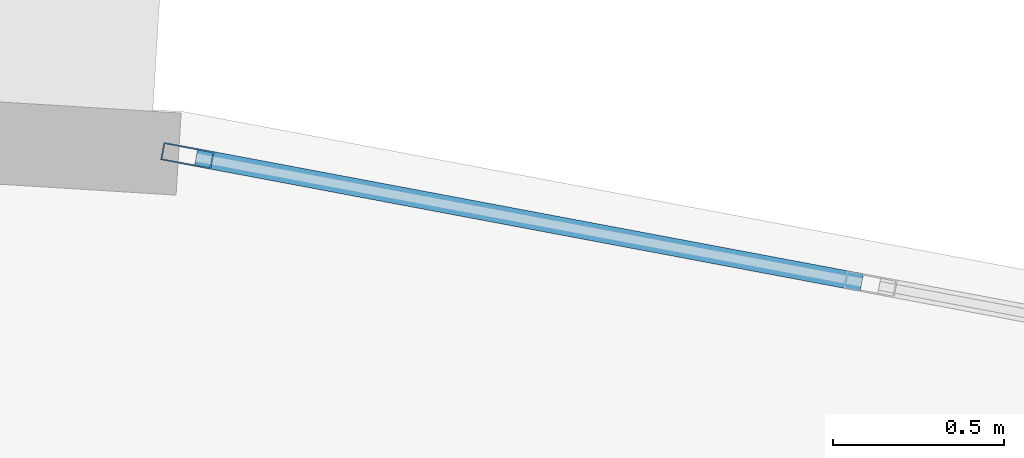
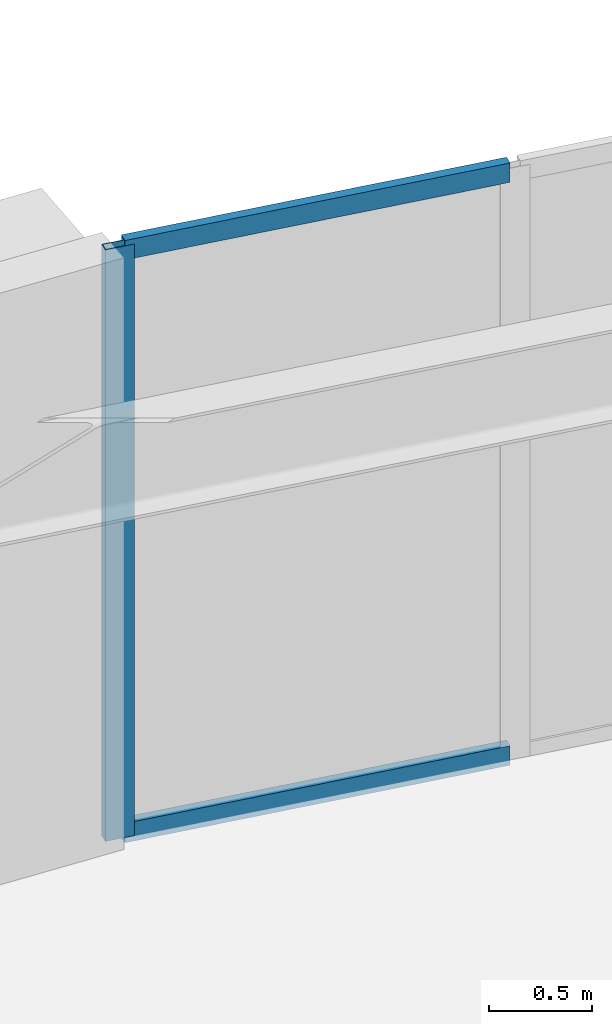
# One storey, part 4 of 21: 3 members, 1 element without a shape of its own.
"""IFC4 building model written with IfcOpenShell, lengths in metres."""

from ifc_helpers import new_model, si_unit, direction, frame, origin, origin_2d, place, context, subcontext, project, spatial, hollow_rectangle, extrude, source, transform, mapped, material, layer, layer_set, material_profile, profile_set, type_object, element, aggregate, save


model = new_model("IFC4")

# Units and contexts
model_context = context("Model", 3, precision=1e-05, world=origin(), true_north=direction((0.0, 1.0)))
body_context = subcontext(model_context, "Body", "Model", "MODEL_VIEW")
ifc_project = project(units=[si_unit("LENGTHUNIT", "METRE"), si_unit("AREAUNIT", "SQUARE_METRE"), si_unit("VOLUMEUNIT", "CUBIC_METRE"), si_unit("PLANEANGLEUNIT", "RADIAN"), si_unit("MASSUNIT", "GRAM", prefix="KILO")], contexts=[model_context])

# Site, building, storey
site_placement = place(None, origin())
site = spatial("IfcSite", under=ifc_project, at=site_placement, CompositionType="ELEMENT")
building_placement = place(site_placement, origin())
building = spatial("IfcBuilding", under=site, at=building_placement, Name="Linh Dai School and Residence Tower", CompositionType="ELEMENT")
storey_placement = place(building_placement, frame((0.0, 0.0, 171.14990234375)))
storey = spatial("IfcBuildingStorey", under=building, at=storey_placement, Name="L41", CompositionType="ELEMENT", Elevation=171.14990234375)

# Curtain wall, members
ifc_material_1 = material(Name="Aluminium Anodised Curtain Wall", Category="aluminium")
ifc_layer = layer(ifc_material_1, 0.14990234375)
ifc_layer_set = layer_set([ifc_layer], Name="Aluminium Anodised Curtain Wall")
curtain_wall_type = type_object("IfcCurtainWallType", Name="CW-SYS-4", PredefinedType="USERDEFINED", material=ifc_layer_set)
curtain_wall_placement = place(storey_placement, origin())
curtain_wall = element("IfcCurtainWall", 1, at=curtain_wall_placement, inside=storey, type_object=curtain_wall_type, Name="L41 CW4 Curtain Wall 09", ObjectType="RIBBON CURTAIN WALL", PredefinedType="USERDEFINED")
ifc_material_2 = material(Name="Aluminium Alloy 6063-T6", Category="aluminium")
ifc_material_profile_1 = material_profile(ifc_material_2, hollow_rectangle(XDim=0.052001953125, YDim=0.14990234375, WallThickness=0.00390625, at=origin_2d()), Name="RHS 150x52x4")
ifc_profile_set_1 = profile_set([ifc_material_profile_1], Name="Aluminium Alloy 6063-T6")
member_type_1 = type_object("IfcMemberType", Name="CW-SYS-4-MUL", PredefinedType="MULLION", material=ifc_profile_set_1)
shared_shape_1 = source(origin(), body_context, "Body", "SweptSolid", [
    extrude(hollow_rectangle(XDim=0.052001953125, YDim=0.14990234375, WallThickness=0.00390625, at=origin_2d()), origin(), (0.0, 0.0, 1.0), 3.5),
])
member_1_placement = place(storey_placement, frame((40.17138671875, 47.444580078125, 0.0), z_axis=(0.0, 0.0, 1.0), x_axis=(0.184762540184, 0.982783192645, 0.0)))
member_1 = element("IfcMember", 2, at=member_1_placement, type_object=member_type_1, Name="CW4 mullion 1", PredefinedType="MULLION", context=body_context, shape_type="MappedRepresentation", body=[
    mapped(shared_shape_1, transform((0.0, 0.0, 0.0), x_axis=(1.0, 0.0, 0.0), y_axis=(0.0, 1.0, 0.0), z_axis=(0.0, 0.0, 1.0), scale=1.0)),
])
ifc_material_profile_2 = material_profile(ifc_material_2, hollow_rectangle(XDim=0.052001953125, YDim=0.114990234375, WallThickness=0.00390625, at=origin_2d()), Name="RHS 115x52x4")
ifc_profile_set_2 = profile_set([ifc_material_profile_2], Name="Aluminium Alloy 6063-T6")
member_type_2 = type_object("IfcMemberType", Name="CW-SYS-4-TRN", PredefinedType="USERDEFINED", material=ifc_profile_set_2)
shared_shape_2 = source(origin(), body_context, "Body", "SweptSolid", [
    extrude(hollow_rectangle(XDim=0.052001953125, YDim=0.114990234375, WallThickness=0.00390625, at=origin_2d()), origin(), (0.0, 0.0, 1.0), 1.979248046875),
])
member_2_placement = place(storey_placement, frame((40.19677734375, 47.43994140625, 0.026123046875), z_axis=(0.982778495778, -0.184787521862, 0.0), x_axis=(0.184787521862, 0.982778495778, 0.0)))
member_2 = element("IfcMember", 3, at=member_2_placement, type_object=member_type_2, Name="CW4 transom 1.1", ObjectType="TRANSOM", PredefinedType="USERDEFINED", context=body_context, shape_type="MappedRepresentation", body=[
    mapped(shared_shape_2, transform((0.0, 0.0, 0.0), x_axis=(1.0, 0.0, 0.0), y_axis=(0.0, 1.0, 0.0), z_axis=(0.0, 0.0, 1.0), scale=1.0)),
])
member_3_placement = place(storey_placement, frame((40.19677734375, 47.43994140625, 3.47412109375), z_axis=(0.982778495778, -0.184787521862, 0.0), x_axis=(0.184787521862, 0.982778495778, 0.0)))
member_3 = element("IfcMember", 4, at=member_3_placement, type_object=member_type_2, Name="CW4 transom 1.2", ObjectType="TRANSOM", PredefinedType="USERDEFINED", context=body_context, shape_type="MappedRepresentation", body=[
    mapped(shared_shape_2, transform((0.0, 0.0, 0.0), x_axis=(1.0, 0.0, 0.0), y_axis=(0.0, 1.0, 0.0), z_axis=(0.0, 0.0, 1.0), scale=1.0)),
])
aggregate(curtain_wall, [member_1, member_2, member_3])

save(model, "model.ifc")
